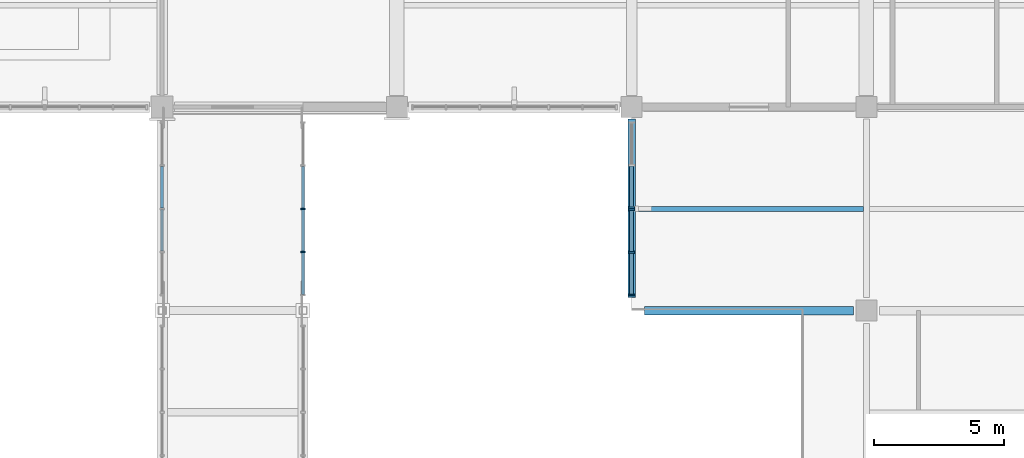
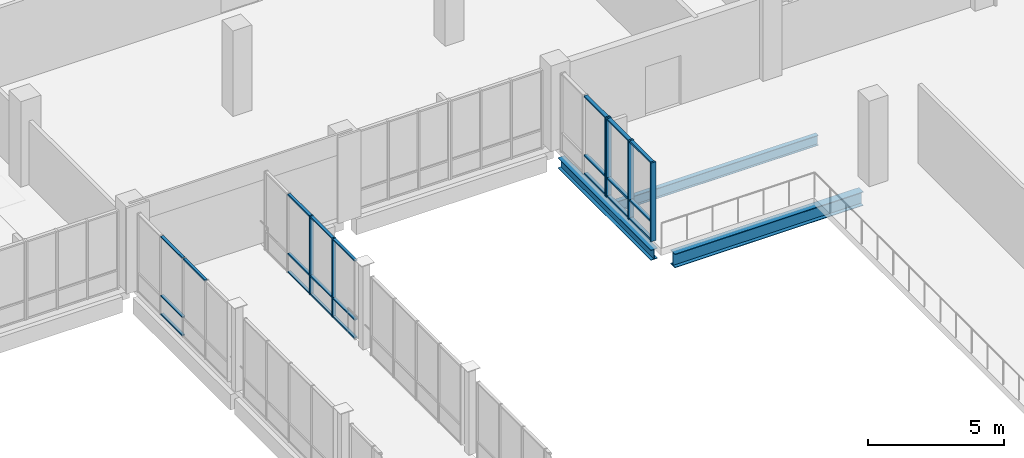
# One storey, part 32 of 85: 28 members, 3 beams, 4 elements without a shape of their own.
"""IFC4 building model written with IfcOpenShell, lengths in metres."""

from ifc_helpers import new_model, si_unit, direction, frame, origin, origin_2d, place, context, subcontext, project, spatial, rectangle, i_section, extrude, material, material_profile, profile_set, type_object, element, aggregate, save


model = new_model("IFC4")

# Units and contexts
model_context = context("Model", 3, precision=1e-05, world=origin(), true_north=direction((0.0, 1.0)))
body_context = subcontext(model_context, "Body", "Model", "MODEL_VIEW")
ifc_project = project(units=[si_unit("LENGTHUNIT", "METRE"), si_unit("AREAUNIT", "SQUARE_METRE"), si_unit("VOLUMEUNIT", "CUBIC_METRE"), si_unit("PLANEANGLEUNIT", "RADIAN"), si_unit("MASSUNIT", "GRAM", prefix="KILO")], contexts=[model_context])

# Site, building, storey
site_placement = place(None, origin())
site = spatial("IfcSite", under=ifc_project, at=site_placement, CompositionType="ELEMENT")
building_placement = place(site_placement, origin())
building = spatial("IfcBuilding", under=site, at=building_placement, Name="Vervanel Yard Central Library", CompositionType="ELEMENT")
storey_placement = place(building_placement, frame((0.0, 0.0, 5.10009765625)))
storey = spatial("IfcBuildingStorey", under=building, at=storey_placement, Name="L01", CompositionType="ELEMENT", Elevation=5.10009765625)

# Curtain wall, members
ifc_material_1 = material(Name="Thermally broken anodized aluminium 6063-T6", Category="aluminium")
curtain_wall_type_1 = type_object("IfcCurtainWallType", Name="Boulevard Cafe & Bridge Curtain Wall", PredefinedType="NOTDEFINED", material=ifc_material_1)
curtain_wall_1_placement = place(storey_placement, origin())
curtain_wall_1 = element("IfcCurtainWall", 1, at=curtain_wall_1_placement, inside=storey, type_object=curtain_wall_type_1, Name="L01 Boulevard Cafe & Bridge Curtain Wall CWR-L01-191", PredefinedType="NOTDEFINED")
ifc_material_profile_1 = material_profile(ifc_material_1, rectangle(XDim=0.06005859375, YDim=0.159912109375, at=origin_2d()), Name="ALU 60x160", Category="aluminium")
ifc_profile_set_1 = profile_set([ifc_material_profile_1], Name="Thermally broken anodized aluminium 6063-T6")
member_type_1 = type_object("IfcMemberType", Name="Bridge & Courtyard Mullion 60x160", PredefinedType="MULLION", material=ifc_profile_set_1)
member_1_placement = place(storey_placement, frame((77.39990234375, 76.64501953125, 0.0), z_axis=(0.0, 0.0, 1.0), x_axis=(0.0, 1.0, 0.0)))
member_1 = element("IfcMember", 2, at=member_1_placement, type_object=member_type_1, Name="CWR-L01-191 Mullion 2", PredefinedType="MULLION", context=body_context, shape_type="SweptSolid", body=[
    extrude(rectangle(XDim=0.06005859375, YDim=0.159912109375, at=origin_2d()), origin(), (0.0, 0.0, 1.0), 3.52978515625),
])
member_2_placement = place(storey_placement, frame((77.39990234375, 78.300048828125, 0.0), z_axis=(0.0, 0.0, 1.0), x_axis=(0.0, 1.0, 0.0)))
member_2 = element("IfcMember", 3, at=member_2_placement, type_object=member_type_1, Name="CWR-L01-191 Mullion 3", PredefinedType="MULLION", context=body_context, shape_type="SweptSolid", body=[
    extrude(rectangle(XDim=0.06005859375, YDim=0.159912109375, at=origin_2d()), origin(), (0.0, 0.0, 1.0), 3.52978515625),
])

curtain_wall_2_placement = place(storey_placement, origin())
curtain_wall_2 = element("IfcCurtainWall", 4, at=curtain_wall_2_placement, inside=storey, type_object=curtain_wall_type_1, Name="L01 Boulevard Cafe & Bridge Curtain Wall CWR-L01-183", PredefinedType="NOTDEFINED")
ifc_material_profile_2 = material_profile(ifc_material_1, rectangle(XDim=0.06005859375, YDim=0.1201171875, at=origin_2d()), Name="ALU 60x120", Category="aluminium")
ifc_profile_set_2 = profile_set([ifc_material_profile_2], Name="Thermally broken anodized aluminium 6063-T6")
member_type_2 = type_object("IfcMemberType", Name="Bridge & Courtyard Transom 60x120", PredefinedType="NOTDEFINED", material=ifc_profile_set_2)
member_3_placement = place(storey_placement, frame((72.0, 76.675048828125, 3.5), z_axis=(0.0, 1.0, 0.0), x_axis=(0.0, 0.0, 1.0)))
member_3 = element("IfcMember", 5, at=member_3_placement, type_object=member_type_2, Name="CWR-L01-183 Transom B2-T3", ObjectType="TRANSOM", PredefinedType="USERDEFINED", context=body_context, shape_type="SweptSolid", body=[
    extrude(rectangle(XDim=0.06005859375, YDim=0.1201171875, at=origin_2d()), origin(), (0.0, 0.0, 1.0), 1.594970703125),
])
member_4_placement = place(storey_placement, frame((72.0, 78.330078125, 0.02978515625), z_axis=(0.0, 1.0, 0.0), x_axis=(0.0, 0.0, 1.0)))
member_4 = element("IfcMember", 6, at=member_4_placement, type_object=member_type_2, Name="CWR-L01-183 Transom B3-T1", ObjectType="TRANSOM", PredefinedType="USERDEFINED", context=body_context, shape_type="SweptSolid", body=[
    extrude(rectangle(XDim=0.06005859375, YDim=0.1201171875, at=origin_2d()), origin(), (0.0, 0.0, 1.0), 1.594970703125),
])
member_5_placement = place(storey_placement, frame((72.0, 78.330078125, 0.849853515625), z_axis=(0.0, 1.0, 0.0), x_axis=(0.0, 0.0, 1.0)))
member_5 = element("IfcMember", 7, at=member_5_placement, type_object=member_type_2, Name="CWR-L01-183 Transom B3-T2", ObjectType="TRANSOM", PredefinedType="USERDEFINED", context=body_context, shape_type="SweptSolid", body=[
    extrude(rectangle(XDim=0.06005859375, YDim=0.1201171875, at=origin_2d()), origin(), (0.0, 0.0, 1.0), 1.594970703125),
])
member_6_placement = place(storey_placement, frame((72.0, 78.330078125, 3.5), z_axis=(0.0, 1.0, 0.0), x_axis=(0.0, 0.0, 1.0)))
member_6 = element("IfcMember", 8, at=member_6_placement, type_object=member_type_2, Name="CWR-L01-183 Transom B3-T3", ObjectType="TRANSOM", PredefinedType="USERDEFINED", context=body_context, shape_type="SweptSolid", body=[
    extrude(rectangle(XDim=0.06005859375, YDim=0.1201171875, at=origin_2d()), origin(), (0.0, 0.0, 1.0), 1.594970703125),
])
aggregate(curtain_wall_2, [member_3, member_4, member_5, member_6])

# Member
member_7_placement = place(storey_placement, frame((77.39990234375, 75.02001953125, 0.02978515625), z_axis=(0.0, 1.0, 0.0), x_axis=(0.0, 0.0, 1.0)))
member_7 = element("IfcMember", 9, at=member_7_placement, type_object=member_type_2, Name="CWR-L01-191 Transom B1-T1", ObjectType="TRANSOM", PredefinedType="USERDEFINED", context=body_context, shape_type="SweptSolid", body=[
    extrude(rectangle(XDim=0.06005859375, YDim=0.1201171875, at=origin_2d()), origin(), (0.0, 0.0, 1.0), 1.594970703125),
])

member_8_placement = place(storey_placement, frame((77.39990234375, 75.02001953125, 0.849853515625), z_axis=(0.0, 1.0, 0.0), x_axis=(0.0, 0.0, 1.0)))
member_8 = element("IfcMember", 10, at=member_8_placement, type_object=member_type_2, Name="CWR-L01-191 Transom B1-T2", ObjectType="TRANSOM", PredefinedType="USERDEFINED", context=body_context, shape_type="SweptSolid", body=[
    extrude(rectangle(XDim=0.06005859375, YDim=0.1201171875, at=origin_2d()), origin(), (0.0, 0.0, 1.0), 1.594970703125),
])

member_9_placement = place(storey_placement, frame((77.39990234375, 75.02001953125, 3.5), z_axis=(0.0, 1.0, 0.0), x_axis=(0.0, 0.0, 1.0)))
member_9 = element("IfcMember", 11, at=member_9_placement, type_object=member_type_2, Name="CWR-L01-191 Transom B1-T3", ObjectType="TRANSOM", PredefinedType="USERDEFINED", context=body_context, shape_type="SweptSolid", body=[
    extrude(rectangle(XDim=0.06005859375, YDim=0.1201171875, at=origin_2d()), origin(), (0.0, 0.0, 1.0), 1.594970703125),
])

member_10_placement = place(storey_placement, frame((77.39990234375, 76.675048828125, 0.02978515625), z_axis=(0.0, 1.0, 0.0), x_axis=(0.0, 0.0, 1.0)))
member_10 = element("IfcMember", 12, at=member_10_placement, type_object=member_type_2, Name="CWR-L01-191 Transom B2-T1", ObjectType="TRANSOM", PredefinedType="USERDEFINED", context=body_context, shape_type="SweptSolid", body=[
    extrude(rectangle(XDim=0.06005859375, YDim=0.1201171875, at=origin_2d()), origin(), (0.0, 0.0, 1.0), 1.594970703125),
])

member_11_placement = place(storey_placement, frame((77.39990234375, 76.675048828125, 0.849853515625), z_axis=(0.0, 1.0, 0.0), x_axis=(0.0, 0.0, 1.0)))
member_11 = element("IfcMember", 13, at=member_11_placement, type_object=member_type_2, Name="CWR-L01-191 Transom B2-T2", ObjectType="TRANSOM", PredefinedType="USERDEFINED", context=body_context, shape_type="SweptSolid", body=[
    extrude(rectangle(XDim=0.06005859375, YDim=0.1201171875, at=origin_2d()), origin(), (0.0, 0.0, 1.0), 1.594970703125),
])

member_12_placement = place(storey_placement, frame((77.39990234375, 76.675048828125, 3.5), z_axis=(0.0, 1.0, 0.0), x_axis=(0.0, 0.0, 1.0)))
member_12 = element("IfcMember", 14, at=member_12_placement, type_object=member_type_2, Name="CWR-L01-191 Transom B2-T3", ObjectType="TRANSOM", PredefinedType="USERDEFINED", context=body_context, shape_type="SweptSolid", body=[
    extrude(rectangle(XDim=0.06005859375, YDim=0.1201171875, at=origin_2d()), origin(), (0.0, 0.0, 1.0), 1.594970703125),
])

member_13_placement = place(storey_placement, frame((77.39990234375, 78.330078125, 0.02978515625), z_axis=(0.0, 1.0, 0.0), x_axis=(0.0, 0.0, 1.0)))
member_13 = element("IfcMember", 15, at=member_13_placement, type_object=member_type_2, Name="CWR-L01-191 Transom B3-T1", ObjectType="TRANSOM", PredefinedType="USERDEFINED", context=body_context, shape_type="SweptSolid", body=[
    extrude(rectangle(XDim=0.06005859375, YDim=0.1201171875, at=origin_2d()), origin(), (0.0, 0.0, 1.0), 1.594970703125),
])

member_14_placement = place(storey_placement, frame((77.39990234375, 78.330078125, 0.849853515625), z_axis=(0.0, 1.0, 0.0), x_axis=(0.0, 0.0, 1.0)))
member_14 = element("IfcMember", 16, at=member_14_placement, type_object=member_type_2, Name="CWR-L01-191 Transom B3-T2", ObjectType="TRANSOM", PredefinedType="USERDEFINED", context=body_context, shape_type="SweptSolid", body=[
    extrude(rectangle(XDim=0.06005859375, YDim=0.1201171875, at=origin_2d()), origin(), (0.0, 0.0, 1.0), 1.594970703125),
])

member_15_placement = place(storey_placement, frame((77.39990234375, 78.330078125, 3.5), z_axis=(0.0, 1.0, 0.0), x_axis=(0.0, 0.0, 1.0)))
member_15 = element("IfcMember", 17, at=member_15_placement, type_object=member_type_2, Name="CWR-L01-191 Transom B3-T3", ObjectType="TRANSOM", PredefinedType="USERDEFINED", context=body_context, shape_type="SweptSolid", body=[
    extrude(rectangle(XDim=0.06005859375, YDim=0.1201171875, at=origin_2d()), origin(), (0.0, 0.0, 1.0), 1.594970703125),
])

aggregate(curtain_wall_1, [member_1, member_2, member_7, member_8, member_9, member_10, member_11, member_12, member_13, member_14, member_15])

# Curtain wall, members
curtain_wall_type_2 = type_object("IfcCurtainWallType", Name="Reading Hall Full-Height Curtain Wall", PredefinedType="NOTDEFINED", material=ifc_material_1)
curtain_wall_3_placement = place(storey_placement, origin())
curtain_wall_3 = element("IfcCurtainWall", 18, at=curtain_wall_3_placement, inside=storey, type_object=curtain_wall_type_2, Name="L01 Reading Hall Full-Height Curtain Wall CWR-L01-050", PredefinedType="NOTDEFINED")
ifc_material_profile_3 = material_profile(ifc_material_1, rectangle(XDim=0.070068359375, YDim=0.219970703125, at=origin_2d()), Name="ALU 70x220", Category="aluminium")
ifc_profile_set_3 = profile_set([ifc_material_profile_3], Name="Thermally broken anodized aluminium 6063-T6")
member_type_3 = type_object("IfcMemberType", Name="Reading Hall Deep Mullion 70x220", PredefinedType="MULLION", material=ifc_profile_set_3)
member_16_placement = place(storey_placement, frame((90.0, 74.9951171875, 0.0), z_axis=(0.0, 0.0, 1.0), x_axis=(0.0, 1.0, 0.0)))
member_16 = element("IfcMember", 19, at=member_16_placement, type_object=member_type_3, Name="CWR-L01-050 Mullion 1", PredefinedType="MULLION", context=body_context, shape_type="SweptSolid", body=[
    extrude(rectangle(XDim=0.070068359375, YDim=0.219970703125, at=origin_2d()), origin(), (0.0, 0.0, 1.0), 3.52978515625),
])
member_17_placement = place(storey_placement, frame((90.0, 76.6298828125, 0.0), z_axis=(0.0, 0.0, 1.0), x_axis=(0.0, 1.0, 0.0)))
member_17 = element("IfcMember", 20, at=member_17_placement, type_object=member_type_3, Name="CWR-L01-050 Mullion 2", PredefinedType="MULLION", context=body_context, shape_type="SweptSolid", body=[
    extrude(rectangle(XDim=0.070068359375, YDim=0.219970703125, at=origin_2d()), origin(), (0.0, 0.0, 1.0), 3.52978515625),
])
member_18_placement = place(storey_placement, frame((90.0, 78.264892578125, 0.0), z_axis=(0.0, 0.0, 1.0), x_axis=(0.0, 1.0, 0.0)))
member_18 = element("IfcMember", 21, at=member_18_placement, type_object=member_type_3, Name="CWR-L01-050 Mullion 3", PredefinedType="MULLION", context=body_context, shape_type="SweptSolid", body=[
    extrude(rectangle(XDim=0.070068359375, YDim=0.219970703125, at=origin_2d()), origin(), (0.0, 0.0, 1.0), 3.52978515625),
])

# Curtain wall, member
curtain_wall_4_placement = place(storey_placement, origin())
curtain_wall_4 = element("IfcCurtainWall", 22, at=curtain_wall_4_placement, inside=storey, type_object=curtain_wall_type_2, Name="L01 Reading Hall Full-Height Curtain Wall CWR-L01-051", PredefinedType="NOTDEFINED")
member_19_placement = place(storey_placement, frame((90.0, 78.3349609375, 0.0), z_axis=(0.0, 0.0, 1.0), x_axis=(0.0, 1.0, 0.0)))
member_19 = element("IfcMember", 23, at=member_19_placement, type_object=member_type_3, Name="CWR-L01-051 Mullion 1", PredefinedType="MULLION", context=body_context, shape_type="SweptSolid", body=[
    extrude(rectangle(XDim=0.070068359375, YDim=0.219970703125, at=origin_2d()), origin(), (0.0, 0.0, 1.0), 3.52978515625),
])

# Member
ifc_material_profile_4 = material_profile(ifc_material_1, rectangle(XDim=0.070068359375, YDim=0.14990234375, at=origin_2d()), Name="ALU 70x150", Category="aluminium")
ifc_profile_set_4 = profile_set([ifc_material_profile_4], Name="Thermally broken anodized aluminium 6063-T6")
member_type_4 = type_object("IfcMemberType", Name="Reading Hall Deep Transom 70x150", PredefinedType="NOTDEFINED", material=ifc_profile_set_4)
member_20_placement = place(storey_placement, frame((90.0, 75.030029296875, 0.034912109375), z_axis=(0.0, 1.0, 0.0), x_axis=(0.0, 0.0, 1.0)))
member_20 = element("IfcMember", 24, at=member_20_placement, type_object=member_type_4, Name="CWR-L01-050 Transom B1-T1", ObjectType="TRANSOM", PredefinedType="USERDEFINED", context=body_context, shape_type="SweptSolid", body=[
    extrude(rectangle(XDim=0.070068359375, YDim=0.14990234375, at=origin_2d()), origin(), (0.0, 0.0, 1.0), 1.56494140625),
])

member_21_placement = place(storey_placement, frame((90.0, 75.030029296875, 0.849853515625), z_axis=(0.0, 1.0, 0.0), x_axis=(0.0, 0.0, 1.0)))
member_21 = element("IfcMember", 25, at=member_21_placement, type_object=member_type_4, Name="CWR-L01-050 Transom B1-T2", ObjectType="TRANSOM", PredefinedType="USERDEFINED", context=body_context, shape_type="SweptSolid", body=[
    extrude(rectangle(XDim=0.070068359375, YDim=0.14990234375, at=origin_2d()), origin(), (0.0, 0.0, 1.0), 1.56494140625),
])

member_22_placement = place(storey_placement, frame((90.0, 75.030029296875, 3.494873046875), z_axis=(0.0, 1.0, 0.0), x_axis=(0.0, 0.0, 1.0)))
member_22 = element("IfcMember", 26, at=member_22_placement, type_object=member_type_4, Name="CWR-L01-050 Transom B1-T3", ObjectType="TRANSOM", PredefinedType="USERDEFINED", context=body_context, shape_type="SweptSolid", body=[
    extrude(rectangle(XDim=0.070068359375, YDim=0.14990234375, at=origin_2d()), origin(), (0.0, 0.0, 1.0), 1.56494140625),
])

member_23_placement = place(storey_placement, frame((90.0, 76.6650390625, 0.034912109375), z_axis=(0.0, 1.0, 0.0), x_axis=(0.0, 0.0, 1.0)))
member_23 = element("IfcMember", 27, at=member_23_placement, type_object=member_type_4, Name="CWR-L01-050 Transom B2-T1", ObjectType="TRANSOM", PredefinedType="USERDEFINED", context=body_context, shape_type="SweptSolid", body=[
    extrude(rectangle(XDim=0.070068359375, YDim=0.14990234375, at=origin_2d()), origin(), (0.0, 0.0, 1.0), 1.56494140625),
])

member_24_placement = place(storey_placement, frame((90.0, 76.6650390625, 0.849853515625), z_axis=(0.0, 1.0, 0.0), x_axis=(0.0, 0.0, 1.0)))
member_24 = element("IfcMember", 28, at=member_24_placement, type_object=member_type_4, Name="CWR-L01-050 Transom B2-T2", ObjectType="TRANSOM", PredefinedType="USERDEFINED", context=body_context, shape_type="SweptSolid", body=[
    extrude(rectangle(XDim=0.070068359375, YDim=0.14990234375, at=origin_2d()), origin(), (0.0, 0.0, 1.0), 1.56494140625),
])

member_25_placement = place(storey_placement, frame((90.0, 76.6650390625, 3.494873046875), z_axis=(0.0, 1.0, 0.0), x_axis=(0.0, 0.0, 1.0)))
member_25 = element("IfcMember", 29, at=member_25_placement, type_object=member_type_4, Name="CWR-L01-050 Transom B2-T3", ObjectType="TRANSOM", PredefinedType="USERDEFINED", context=body_context, shape_type="SweptSolid", body=[
    extrude(rectangle(XDim=0.070068359375, YDim=0.14990234375, at=origin_2d()), origin(), (0.0, 0.0, 1.0), 1.56494140625),
])

aggregate(curtain_wall_3, [member_16, member_17, member_18, member_20, member_21, member_22, member_23, member_24, member_25])

member_26_placement = place(storey_placement, frame((90.0, 78.3701171875, 0.034912109375), z_axis=(0.0, 1.0, 0.0), x_axis=(0.0, 0.0, 1.0)))
member_26 = element("IfcMember", 30, at=member_26_placement, type_object=member_type_4, Name="CWR-L01-051 Transom B1-T1", ObjectType="TRANSOM", PredefinedType="USERDEFINED", context=body_context, shape_type="SweptSolid", body=[
    extrude(rectangle(XDim=0.070068359375, YDim=0.14990234375, at=origin_2d()), origin(), (0.0, 0.0, 1.0), 1.56494140625),
])

member_27_placement = place(storey_placement, frame((90.0, 78.3701171875, 0.849853515625), z_axis=(0.0, 1.0, 0.0), x_axis=(0.0, 0.0, 1.0)))
member_27 = element("IfcMember", 31, at=member_27_placement, type_object=member_type_4, Name="CWR-L01-051 Transom B1-T2", ObjectType="TRANSOM", PredefinedType="USERDEFINED", context=body_context, shape_type="SweptSolid", body=[
    extrude(rectangle(XDim=0.070068359375, YDim=0.14990234375, at=origin_2d()), origin(), (0.0, 0.0, 1.0), 1.56494140625),
])

member_28_placement = place(storey_placement, frame((90.0, 78.3701171875, 3.494873046875), z_axis=(0.0, 1.0, 0.0), x_axis=(0.0, 0.0, 1.0)))
member_28 = element("IfcMember", 32, at=member_28_placement, type_object=member_type_4, Name="CWR-L01-051 Transom B1-T3", ObjectType="TRANSOM", PredefinedType="USERDEFINED", context=body_context, shape_type="SweptSolid", body=[
    extrude(rectangle(XDim=0.070068359375, YDim=0.14990234375, at=origin_2d()), origin(), (0.0, 0.0, 1.0), 1.56494140625),
])

aggregate(curtain_wall_4, [member_19, member_26, member_27, member_28])

# Beams
ifc_material_2 = material(Name="Steel ASTM A992 Grade 50", Category="steel")
ifc_material_profile_5 = material_profile(ifc_material_2, i_section(OverallWidth=0.32763671875, OverallDepth=0.622314453125, WebThickness=0.015380859375, FlangeThickness=0.0244140625, at=origin_2d()), Name="W24X131", Category="steel")
ifc_profile_set_5 = profile_set([ifc_material_profile_5], Name="Steel ASTM A992 Grade 50")
beam_type_1 = type_object("IfcBeamType", Name="Steel Primary Girder W24X131", PredefinedType="BEAM", material=ifc_profile_set_5)
beam_1_placement = place(storey_placement, frame((90.5, 74.39990234375, -0.63623046875), z_axis=(1.0, 0.0, 0.0), x_axis=(0.0, 1.0, 0.0)))
element("IfcBeam", 33, at=beam_1_placement, inside=storey, type_object=beam_type_1, Name="L01 Girder SB-02 Y=74.4 X=90.0-99.0", PredefinedType="BEAM", context=body_context, shape_type="SweptSolid", body=[
    extrude(i_section(OverallWidth=0.32763671875, OverallDepth=0.622314453125, WebThickness=0.015380859375, FlangeThickness=0.0244140625, at=origin_2d()), origin(), (0.0, 0.0, 1.0), 8.0),
])
ifc_material_profile_6 = material_profile(ifc_material_2, i_section(OverallWidth=0.191162109375, OverallDepth=0.459716796875, WebThickness=0.010009765625, FlangeThickness=0.01611328125, at=origin_2d()), Name="W18X55", Category="steel")
ifc_profile_set_6 = profile_set([ifc_material_profile_6], Name="Steel ASTM A992 Grade 50")
beam_type_2 = type_object("IfcBeamType", Name="Steel Secondary Joist W18X55", PredefinedType="JOIST", material=ifc_profile_set_6)
beam_2_placement = place(storey_placement, frame((90.14111328125, 78.300048828125, -0.554931640625), z_axis=(1.0, 0.0, 0.0), x_axis=(0.0, 1.0, 0.0)))
element("IfcBeam", 34, at=beam_2_placement, inside=storey, type_object=beam_type_2, Name="L01 Floor Joist SJ-03 Y=78.30 X=90.0-99.0", PredefinedType="JOIST", context=body_context, shape_type="SweptSolid", body=[
    extrude(i_section(OverallWidth=0.191162109375, OverallDepth=0.459716796875, WebThickness=0.010009765625, FlangeThickness=0.01611328125, at=origin_2d()), origin(), (0.0, 0.0, 1.0), 8.744384765625),
])
ifc_material_profile_7 = material_profile(ifc_material_2, i_section(OverallWidth=0.281982421875, OverallDepth=0.46728515625, WebThickness=0.01220703125, FlangeThickness=0.01953125, at=origin_2d()), Name="W18X86", Category="steel")
ifc_profile_set_7 = profile_set([ifc_material_profile_7], Name="Steel ASTM A992 Grade 50")
beam_type_3 = type_object("IfcBeamType", Name="Steel Spandrel Beam W18X86", PredefinedType="SPANDREL", material=ifc_profile_set_7)
beam_3_placement = place(storey_placement, frame((90.0, 74.89990234375, -0.558837890625), z_axis=(0.0, 1.0, 0.0), x_axis=(-1.0, 0.0, 0.0)))
element("IfcBeam", 35, at=beam_3_placement, inside=storey, type_object=beam_type_3, Name="L01 Girder SP-02 X=90.0 Y=74.4-82.2", PredefinedType="SPANDREL", context=body_context, shape_type="SweptSolid", body=[
    extrude(i_section(OverallWidth=0.281982421875, OverallDepth=0.46728515625, WebThickness=0.01220703125, FlangeThickness=0.01953125, at=origin_2d()), origin(), (0.0, 0.0, 1.0), 6.85009765625),
])

save(model, "model.ifc")
